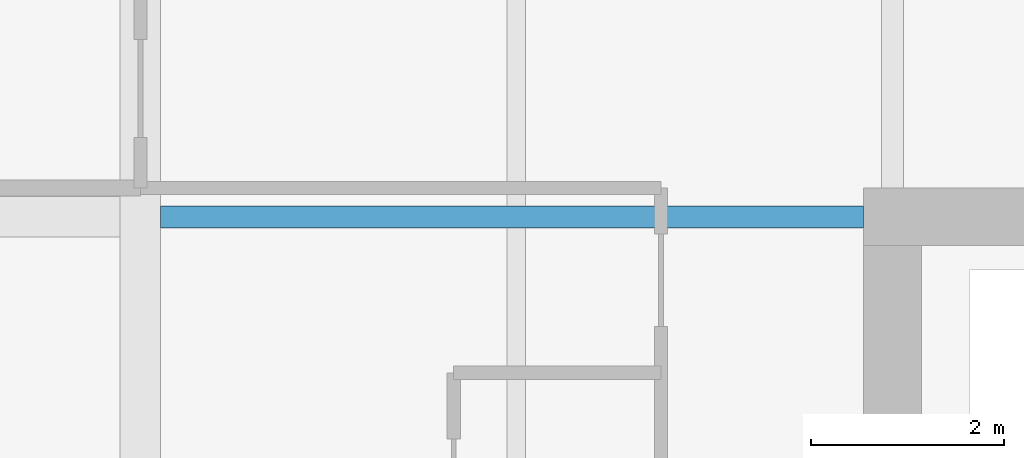
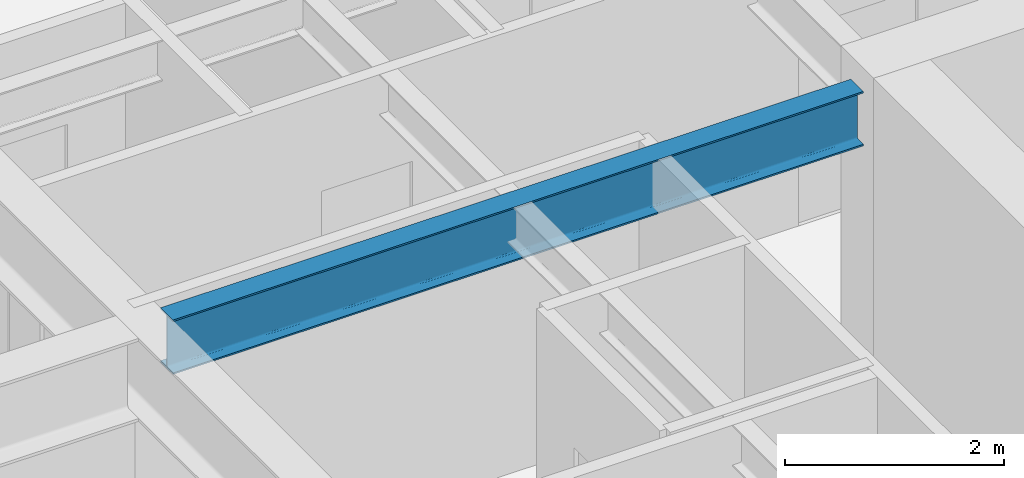
# One storey, part 18 of 39: 1 beam.
"""IFC4 building model written with IfcOpenShell, lengths in metres."""

from ifc_helpers import new_model, si_unit, direction, frame, origin, origin_2d, place, context, subcontext, project, spatial, i_section, extrude, material, material_profile, profile_set, type_object, element, save


model = new_model("IFC4")

# Units and contexts
model_context = context("Model", 3, precision=1e-05, world=origin(), true_north=direction((0.0, 1.0)))
body_context = subcontext(model_context, "Body", "Model", "MODEL_VIEW")
ifc_project = project(units=[si_unit("LENGTHUNIT", "METRE"), si_unit("AREAUNIT", "SQUARE_METRE"), si_unit("VOLUMEUNIT", "CUBIC_METRE"), si_unit("PLANEANGLEUNIT", "RADIAN"), si_unit("MASSUNIT", "GRAM", prefix="KILO")], contexts=[model_context])

# Site, building, storey
site_placement = place(None, origin())
site = spatial("IfcSite", under=ifc_project, at=site_placement, CompositionType="ELEMENT")
building_placement = place(site_placement, origin())
building = spatial("IfcBuilding", under=site, at=building_placement, Name="Drelvath Grand Hotel", CompositionType="ELEMENT")
storey_placement = place(building_placement, frame((0.0, 0.0, 36.699951171875)))
storey = spatial("IfcBuildingStorey", under=building, at=storey_placement, Name="L07", CompositionType="ELEMENT", Elevation=36.699951171875)

# Beam
ifc_material = material(Name="Steel ASTM A992 Gr 50", Category="steel")
ifc_material_profile = material_profile(ifc_material, i_section(OverallWidth=0.228271484375, OverallDepth=0.607666015625, WebThickness=0.01123046875, FlangeThickness=0.017333984375, FilletRadius=0.02001953125, at=origin_2d()), Name="W24X76")
ifc_profile_set = profile_set([ifc_material_profile], Name="Steel ASTM A992 Gr 50")
beam_type = type_object("IfcBeamType", Name="Primary Floor Girder W24X76", PredefinedType="BEAM", material=ifc_profile_set)
beam_placement = place(storey_placement, frame((-15.99072265625, 35.39990234375, 2.936279296875), z_axis=(1.0, 0.0, 0.0), x_axis=(0.0, 1.0, 0.0)))
element("IfcBeam", 1, at=beam_placement, inside=storey, type_object=beam_type, Name="L07 West Core Tie F", PredefinedType="BEAM", context=body_context, shape_type="SweptSolid", body=[
    extrude(i_section(OverallWidth=0.228271484375, OverallDepth=0.607666015625, WebThickness=0.01123046875, FlangeThickness=0.017333984375, FilletRadius=0.02001953125, at=origin_2d()), origin(), (0.0, 0.0, 1.0), 7.290771484375),
])

save(model, "model.ifc")
